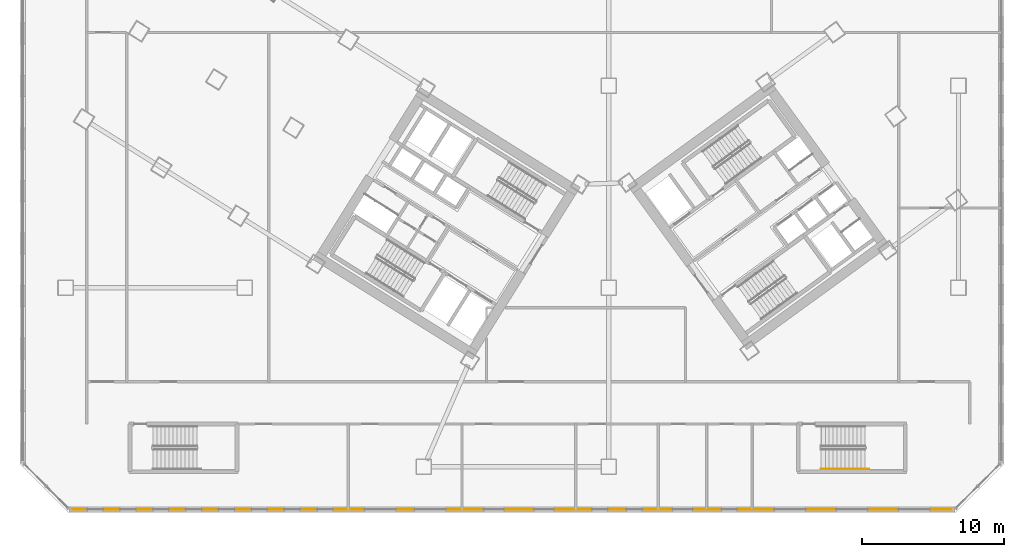
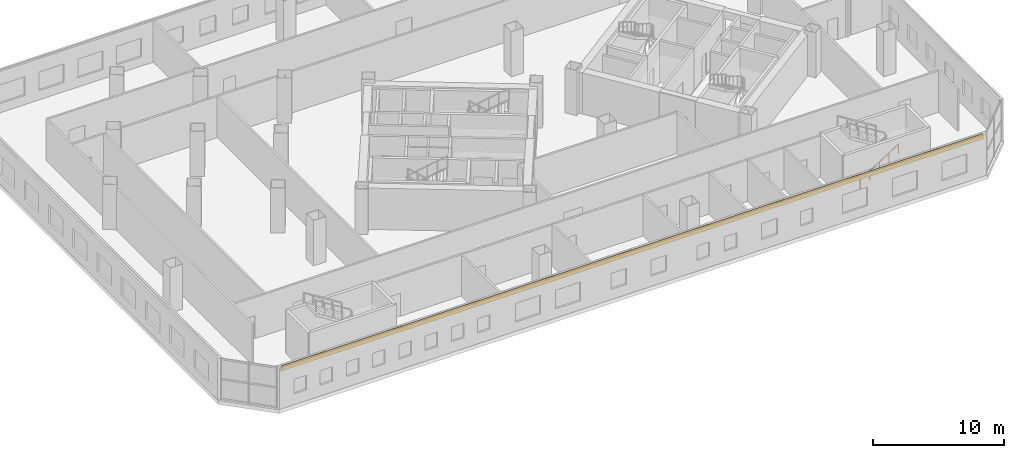
# One storey, part 19 of 22: 1 covering, 1 railing.
"""IFC4 building model written with IfcOpenShell, lengths in metres."""

from ifc_helpers import new_model, si_unit, direction, frame, origin, origin_2d, place, context, subcontext, project, spatial, rectangle, extrude, source, transform, mapped, material, layer, layer_set, type_object, element, save


model = new_model("IFC4")

# Units and contexts
model_context = context("Model", 3, precision=1e-05, world=origin(), true_north=direction((0.0, 1.0)))
body_context = subcontext(model_context, "Body", "Model", "MODEL_VIEW")
ifc_project = project(units=[si_unit("LENGTHUNIT", "METRE"), si_unit("AREAUNIT", "SQUARE_METRE"), si_unit("VOLUMEUNIT", "CUBIC_METRE"), si_unit("PLANEANGLEUNIT", "RADIAN"), si_unit("MASSUNIT", "GRAM", prefix="KILO")], contexts=[model_context])

# Site, building, storey
site_placement = place(None, origin())
site = spatial("IfcSite", under=ifc_project, at=site_placement, CompositionType="ELEMENT")
building_placement = place(site_placement, origin())
building = spatial("IfcBuilding", under=site, at=building_placement, Name="Tlacorven Tower", CompositionType="ELEMENT")
storey_placement = place(building_placement, frame((0.0, 0.0, 14.39990234375)))
storey = spatial("IfcBuildingStorey", under=building, at=storey_placement, Name="L03", CompositionType="ELEMENT", Elevation=14.39990234375)

# Covering
ifc_material_1 = material(Name="Precast concrete C45/55", Category="concrete")
ifc_layer = layer(ifc_material_1, 0.06005859375)
ifc_layer_set = layer_set([ifc_layer], Name="Precast concrete C45/55")
covering_type = type_object("IfcCoveringType", Name="CV-CLD-TERC", PredefinedType="CLADDING", material=ifc_layer_set)
shared_shape_1 = source(origin(), body_context, "Body", "SweptSolid", [
    extrude(rectangle(XDim=61.834228515625, YDim=0.06005859375, at=origin_2d()), origin(), (0.0, 0.0, 1.0), 0.47998046875),
])
covering_placement = place(storey_placement, frame((36.0, 1.60009765625, 3.3701171875), z_axis=(0.0, 0.0, 1.0), x_axis=(-1.0, 0.0, 0.0)))
element("IfcCovering", 1, at=covering_placement, inside=storey, type_object=covering_type, Name="L03 Expressed Terracotta Masonry Spandrel Band 8", PredefinedType="CLADDING", context=body_context, shape_type="MappedRepresentation", body=[
    mapped(shared_shape_1, transform((0.0, 0.0, 0.0), scale=1.0)),
])

# Railing
ifc_material_2 = material(Name="Aluminium and painted steel balustrade", Category="steel")
railing_type = type_object("IfcRailingType", Name="RL-HND-0900", PredefinedType="HANDRAIL", material=ifc_material_2)
shared_shape_2 = source(origin(), body_context, "Body", "SweptSolid", [
    extrude(rectangle(XDim=0.048095703125, YDim=0.048095703125, at=origin_2d()), frame((0.0, 0.0, 0.8759765625), z_axis=(0.847994842521, 0.0, 0.530004478338), x_axis=(0.0, 1.0, 0.0)), (0.0, 0.0, 1.0), 3.96240234375),
    extrude(rectangle(XDim=0.0419921875, YDim=0.0419921875, at=origin_2d()), origin(), (0.0, 0.0, 1.0), 0.851806640625),
    extrude(rectangle(XDim=0.0419921875, YDim=0.0419921875, at=origin_2d()), frame((0.840087890625, 0.0, 0.52490234375)), (0.0, 0.0, 1.0), 0.851806640625),
    extrude(rectangle(XDim=0.0419921875, YDim=0.0419921875, at=origin_2d()), frame((1.68017578125, 0.0, 1.050048828125)), (0.0, 0.0, 1.0), 0.851806640625),
    extrude(rectangle(XDim=0.0419921875, YDim=0.0419921875, at=origin_2d()), frame((2.52001953125, 0.0, 1.5751953125)), (0.0, 0.0, 1.0), 0.851806640625),
    extrude(rectangle(XDim=0.0419921875, YDim=0.0419921875, at=origin_2d()), frame((3.360107421875, 0.0, 2.10009765625)), (0.0, 0.0, 1.0), 0.851806640625),
])
railing_placement = place(storey_placement, frame((57.75, 4.449951171875, 0.175048828125)))
element("IfcRailing", 2, at=railing_placement, inside=storey, type_object=railing_type, Name="L03 ST-P2 stair handrail 1", PredefinedType="HANDRAIL", context=body_context, shape_type="MappedRepresentation", body=[
    mapped(shared_shape_2, transform((0.0, 0.0, 0.0), scale=1.0)),
])

save(model, "model.ifc")
